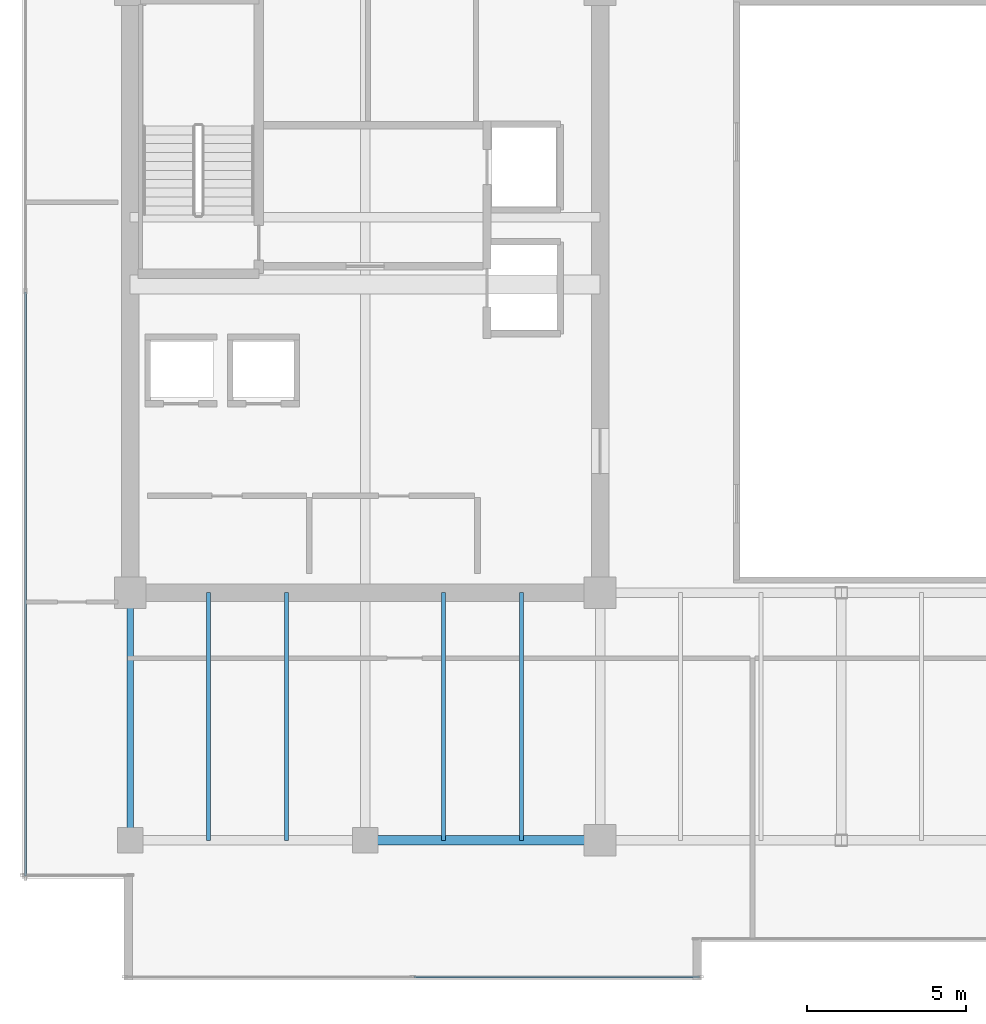
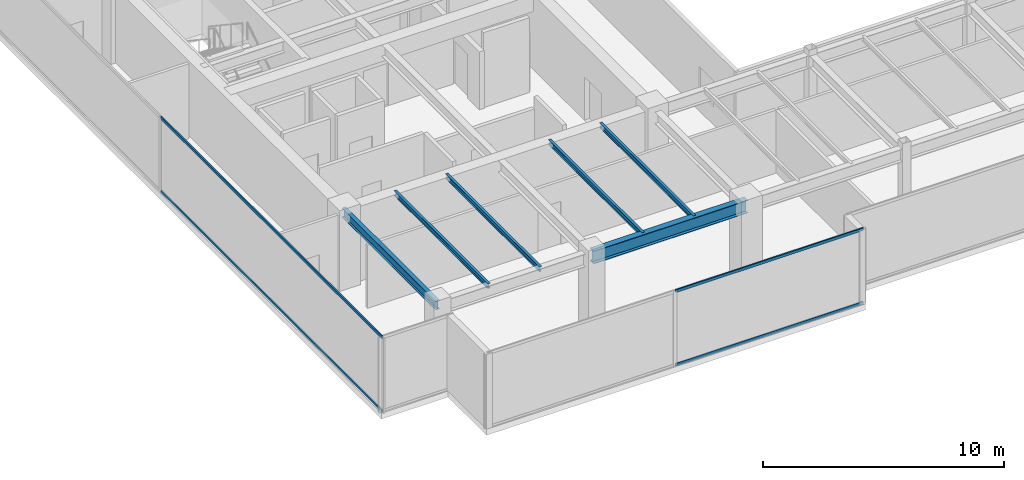
# One storey, part 6 of 33: 6 beams, 4 members, 2 elements without a shape of their own.
"""IFC4 building model written with IfcOpenShell, lengths in metres."""

from ifc_helpers import new_model, si_unit, direction, frame, origin, origin_2d, place, context, subcontext, project, spatial, hollow_rectangle, i_section, extrude, source, transform, mapped, material, layer, layer_set, material_profile, profile_set, type_object, type_shapes, element, aggregate, save


model = new_model("IFC4")

# Units and contexts
model_context = context("Model", 3, precision=1e-05, world=origin(), true_north=direction((0.0, 1.0)))
body_context = subcontext(model_context, "Body", "Model", "MODEL_VIEW")
ifc_project = project(units=[si_unit("LENGTHUNIT", "METRE"), si_unit("AREAUNIT", "SQUARE_METRE"), si_unit("VOLUMEUNIT", "CUBIC_METRE"), si_unit("PLANEANGLEUNIT", "RADIAN"), si_unit("MASSUNIT", "GRAM", prefix="KILO")], contexts=[model_context])

# Site, building, storey
site_placement = place(None, origin())
site = spatial("IfcSite", under=ifc_project, at=site_placement, CompositionType="ELEMENT")
building_placement = place(site_placement, origin())
building = spatial("IfcBuilding", under=site, at=building_placement, Name="Haelvirn Gate Laboratories", CompositionType="ELEMENT")
storey_placement = place(building_placement, frame((0.0, 0.0, 271.10009765625)))
storey = spatial("IfcBuildingStorey", under=building, at=storey_placement, Name="L65", CompositionType="ELEMENT", Elevation=271.10009765625)

# Beams
ifc_material_1 = material(Name="Steel SM355", Category="steel")
ifc_material_profile_1 = material_profile(ifc_material_1, i_section(OverallWidth=0.300048828125, OverallDepth=0.64990234375, WebThickness=0.012939453125, FlangeThickness=0.02197265625, at=origin_2d()), Name="H-650x300x13x22")
ifc_profile_set_1 = profile_set([ifc_material_profile_1], Name="Steel SM355")
beam_type_1 = type_object("IfcBeamType", Name="BM-G-650", PredefinedType="BEAM", material=ifc_profile_set_1)
shared_shape_1 = source(origin(), body_context, "Body", "SweptSolid", [
    extrude(i_section(OverallWidth=0.300048828125, OverallDepth=0.64990234375, WebThickness=0.012939453125, FlangeThickness=0.02197265625, at=origin_2d()), origin(), (0.0, 0.0, 1.0), 7.39990234375),
])
type_shapes(beam_type_1, [shared_shape_1])
beam_1_placement = place(storey_placement, frame((14.800048828125, 7.0, 3.474853515625), z_axis=(1.0, 0.0, 0.0), x_axis=(0.0, 1.0, 0.0)))
element("IfcBeam", 1, at=beam_1_placement, inside=storey, type_object=beam_type_1, Name="L65 Primary Girder Y7.0 (14.8-22.2)", PredefinedType="BEAM", context=body_context, shape_type="MappedRepresentation", body=[
    mapped(shared_shape_1, transform((0.0, 0.0, 0.0), scale=1.0)),
])
ifc_material_profile_2 = material_profile(ifc_material_1, i_section(OverallWidth=0.199951171875, OverallDepth=0.449951171875, WebThickness=0.009033203125, FlangeThickness=0.013916015625, at=origin_2d()), Name="H-450x200x9x14")
ifc_profile_set_2 = profile_set([ifc_material_profile_2], Name="Steel SM355")
beam_type_2 = type_object("IfcBeamType", Name="BM-SP-450", PredefinedType="SPANDREL", material=ifc_profile_set_2)
shared_shape_2 = source(origin(), body_context, "Body", "SweptSolid", [
    extrude(i_section(OverallWidth=0.199951171875, OverallDepth=0.449951171875, WebThickness=0.009033203125, FlangeThickness=0.013916015625, at=origin_2d()), origin(), (0.0, 0.0, 1.0), 7.800048828125),
])
type_shapes(beam_type_2, [shared_shape_2])
beam_2_placement = place(storey_placement, frame((7.39990234375, 7.0, 3.574951171875), z_axis=(0.0, 1.0, 0.0), x_axis=(-1.0, 0.0, 0.0)))
element("IfcBeam", 2, at=beam_2_placement, inside=storey, type_object=beam_type_2, Name="L65 Perimeter Spandrel X7.4 (7.0-14.8)", PredefinedType="SPANDREL", context=body_context, shape_type="MappedRepresentation", body=[
    mapped(shared_shape_2, transform((0.0, 0.0, 0.0), scale=1.0)),
])
ifc_material_profile_3 = material_profile(ifc_material_1, i_section(OverallWidth=0.125, OverallDepth=0.25, WebThickness=0.006103515625, FlangeThickness=0.009033203125, at=origin_2d()), Name="H-250x125x6x9")
ifc_profile_set_3 = profile_set([ifc_material_profile_3], Name="Steel SM355")
beam_type_3 = type_object("IfcBeamType", Name="BM-J-250", PredefinedType="JOIST", material=ifc_profile_set_3)
shared_shape_3 = source(origin(), body_context, "Body", "SweptSolid", [
    extrude(i_section(OverallWidth=0.125, OverallDepth=0.25, WebThickness=0.006103515625, FlangeThickness=0.009033203125, at=origin_2d()), origin(), (0.0, 0.0, 1.0), 7.800048828125),
])
type_shapes(beam_type_3, [shared_shape_3])
for number, where, z_axis, x_axis, name in (
    (3, (9.8701171875, 7.0, 3.6748046875), (0.0, 1.0, 0.0), (-1.0, 0.0, 0.0), "L65 Composite Lab Joist South X9.87"),
    (4, (12.330078125, 7.0, 3.6748046875), (0.0, 1.0, 0.0), (-1.0, 0.0, 0.0), "L65 Composite Lab Joist South X12.33"),
    (5, (17.27001953125, 7.0, 3.6748046875), (0.0, 1.0, 0.0), (-1.0, 0.0, 0.0), "L65 Composite Lab Joist South X17.27"),
    (6, (19.72998046875, 7.0, 3.6748046875), (0.0, 1.0, 0.0), (-1.0, 0.0, 0.0), "L65 Composite Lab Joist South X19.73"),
):
    element("IfcBeam", number, at=place(storey_placement, frame(where, z_axis=z_axis, x_axis=x_axis)), inside=storey, type_object=beam_type_3, Name=name, PredefinedType="JOIST", context=body_context, shape_type="MappedRepresentation", body=[
        mapped(shared_shape_3, transform((0.0, 0.0, 0.0), scale=1.0)),
    ])

# Curtain wall, members
ifc_material_2 = material(Name="Anodised bronze unitised aluminium & triple low-E glass", Category="aluminium")
ifc_layer = layer(ifc_material_2, 0.176025390625, Name="CW-SYS-4")
ifc_layer_set = layer_set([ifc_layer], Name="Anodised bronze unitised aluminium & triple low-E glass")
curtain_wall_type = type_object("IfcCurtainWallType", Name="CW-SYS-4", PredefinedType="NOTDEFINED", material=ifc_layer_set)
curtain_wall_1_placement = place(storey_placement, origin())
curtain_wall_1 = element("IfcCurtainWall", 7, at=curtain_wall_1_placement, inside=storey, type_object=curtain_wall_type, Name="L65 Unitised Curtain Wall CW-L65-P0-E00-1", PredefinedType="NOTDEFINED")
ifc_material_3 = material(Name="Extruded aluminium 6063-T6 (anodised bronze)", Category="aluminium")
ifc_material_profile_4 = material_profile(ifc_material_3, hollow_rectangle(XDim=0.06494140625, YDim=0.139892578125, WallThickness=0.00390625, at=origin_2d()), Name="CWT-140x65x4")
ifc_profile_set_4 = profile_set([ifc_material_profile_4], Name="Extruded aluminium 6063-T6 (anodised bronze)")
member_type = type_object("IfcMemberType", Name="CWT-T140", PredefinedType="USERDEFINED", material=ifc_profile_set_4)
shared_shape_4 = source(origin(), body_context, "Body", "SweptSolid", [
    extrude(hollow_rectangle(XDim=0.06494140625, YDim=0.139892578125, WallThickness=0.00390625, at=origin_2d()), origin(), (0.0, 0.0, 1.0), 8.9951171875),
])
member_1_placement = place(storey_placement, frame((16.3349609375, 2.699951171875, 0.032470703125), z_axis=(1.0, 0.0, 0.0), x_axis=(0.0, 1.0, 0.0)))
member_1 = element("IfcMember", 8, at=member_1_placement, type_object=member_type, Name="CW4 transom 2.1", ObjectType="TRANSOM", PredefinedType="USERDEFINED", context=body_context, shape_type="MappedRepresentation", body=[
    mapped(shared_shape_4, transform((0.0, 0.0, 0.0), scale=1.0)),
])
member_2_placement = place(storey_placement, frame((16.3349609375, 2.699951171875, 3.767333984375), z_axis=(1.0, 0.0, 0.0), x_axis=(0.0, 1.0, 0.0)))
member_2 = element("IfcMember", 9, at=member_2_placement, type_object=member_type, Name="CW4 transom 2.2", ObjectType="TRANSOM", PredefinedType="USERDEFINED", context=body_context, shape_type="MappedRepresentation", body=[
    mapped(shared_shape_4, transform((0.0, 0.0, 0.0), scale=1.0)),
])
aggregate(curtain_wall_1, [member_1, member_2])

curtain_wall_2_placement = place(storey_placement, origin())
curtain_wall_2 = element("IfcCurtainWall", 10, at=curtain_wall_2_placement, inside=storey, type_object=curtain_wall_type, Name="L65 Unitised Curtain Wall CW-L65-P0-E17", PredefinedType="NOTDEFINED")
shared_shape_5 = source(origin(), body_context, "Body", "SweptSolid", [
    extrude(hollow_rectangle(XDim=0.06494140625, YDim=0.139892578125, WallThickness=0.00390625, at=origin_2d()), origin(), (0.0, 0.0, 1.0), 18.394775390625),
])
type_shapes(member_type, [shared_shape_4, shared_shape_5])
member_3_placement = place(storey_placement, frame((4.10009765625, 24.264892578125, 0.032470703125), z_axis=(0.0, -1.0, 0.0), x_axis=(1.0, 0.0, 0.0)))
member_3 = element("IfcMember", 11, at=member_3_placement, type_object=member_type, Name="CW4 transom 2.1", ObjectType="TRANSOM", PredefinedType="USERDEFINED", context=body_context, shape_type="MappedRepresentation", body=[
    mapped(shared_shape_5, transform((0.0, 0.0, 0.0), scale=1.0)),
])
member_4_placement = place(storey_placement, frame((4.10009765625, 24.264892578125, 3.767333984375), z_axis=(0.0, -1.0, 0.0), x_axis=(1.0, 0.0, 0.0)))
member_4 = element("IfcMember", 12, at=member_4_placement, type_object=member_type, Name="CW4 transom 2.2", ObjectType="TRANSOM", PredefinedType="USERDEFINED", context=body_context, shape_type="MappedRepresentation", body=[
    mapped(shared_shape_5, transform((0.0, 0.0, 0.0), scale=1.0)),
])
aggregate(curtain_wall_2, [member_3, member_4])

save(model, "model.ifc")
